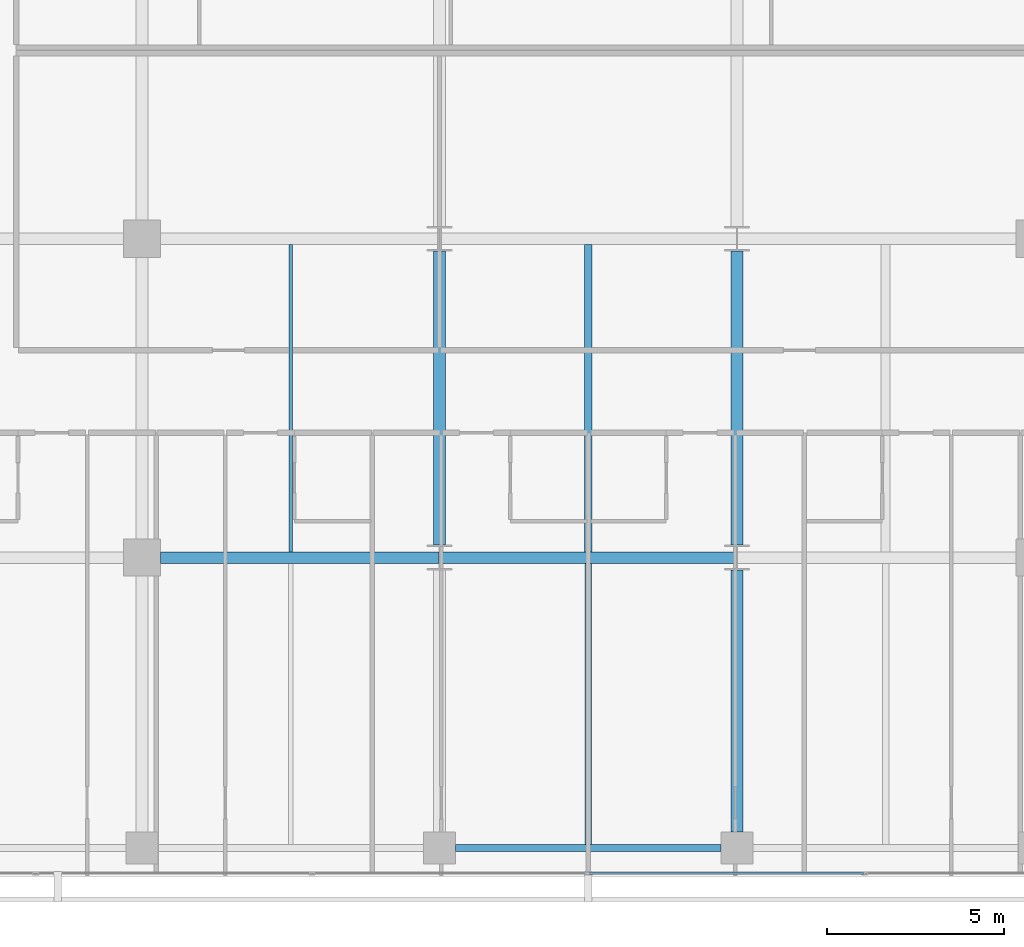
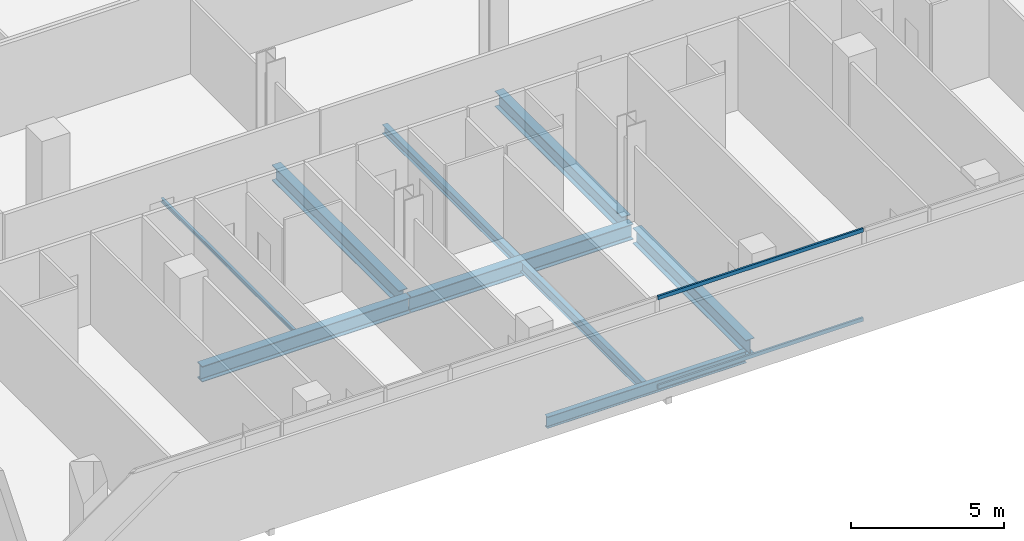
# One storey, part 9 of 40: 9 beams, 2 members, 1 element without a shape of its own.
"""IFC4 building model written with IfcOpenShell, lengths in metres."""

import ifcopenshell
import ifcopenshell.guid

model = None  # the IFC model being written
_history = None  # IfcOwnerHistory: only IFC2X3 demands one
_inside = {}  # id of a spatial element -> (the spatial element, [elements in it])
_under = {}  # id of a project, library or spatial element -> (it, [spatial elements below it])
_declared = {}  # id of a project -> (the project, [libraries it declares])
_typed = {}  # id of a type object -> (the type object, [elements of that type])
_made_of = {}  # id of a material, layer set ... -> (it, [elements and type objects made of it])


def new_model(schema):
    """Start an empty IFC model of exactly this schema.

    Asked for "IFC4X3", IfcOpenShell would pick the latest addendum, in which some entities
    have other attributes; the version numbers below select the first issue.
    IFC2X3 requires an IfcOwnerHistory on every rooted entity: one is made here for all.
    """
    global model, _history
    if schema == "IFC4X3":
        model = ifcopenshell.file(schema_version=(4, 3, 0, 0))
    else:
        model = ifcopenshell.file(schema=schema)
    _inside.clear()
    _under.clear()
    _declared.clear()
    _typed.clear()
    _made_of.clear()
    _history = None
    if model.schema == "IFC2X3":
        org = make("IfcOrganization", Name="unknown")
        user = make(
            "IfcPersonAndOrganization",
            ThePerson=make("IfcPerson", FamilyName="unknown"),
            TheOrganization=org,
        )
        app = make(
            "IfcApplication",
            ApplicationDeveloper=org,
            Version="unknown",
            ApplicationFullName="unknown",
            ApplicationIdentifier="unknown",
        )
        _history = make(
            "IfcOwnerHistory",
            OwningUser=user,
            OwningApplication=app,
            ChangeAction="ADDED",
            CreationDate=0,
        )
    return model


def make(cls, **values):
    """One entity of the class cls with the attributes given. An attribute that is None is left unset."""
    return model.create_entity(
        cls, **{name: value for name, value in values.items() if value is not None}
    )


def rooted(cls, **values):
    """An entity with a GlobalId (a new one), such as an element, a storey or a relation."""
    return make(cls, GlobalId=ifcopenshell.guid.new(), OwnerHistory=_history, **values)


def si_unit(unit_type, name, prefix=None):
    """IfcSIUnit, for example si_unit("LENGTHUNIT", "METRE", prefix="MILLI")."""
    return make("IfcSIUnit", UnitType=unit_type, Prefix=prefix, Name=name)


def assignment(units):
    """IfcUnitAssignment: the units of a project."""
    return None if units is None else make("IfcUnitAssignment", Units=units)


def point(xyz):
    """IfcCartesianPoint."""
    return None if xyz is None else make("IfcCartesianPoint", Coordinates=xyz)


def direction(xyz):
    """IfcDirection."""
    return None if xyz is None else make("IfcDirection", DirectionRatios=xyz)


def frame(location, z_axis=None, x_axis=None):
    """IfcAxis2Placement3D, a coordinate frame: its origin and axes. An axis left out is left unset."""
    return make(
        "IfcAxis2Placement3D",
        Location=point(location),
        Axis=direction(z_axis),
        RefDirection=direction(x_axis),
    )


def frame_2d(location, x_axis=None):
    """IfcAxis2Placement2D, a coordinate frame in the plane: its origin and x axis."""
    return make(
        "IfcAxis2Placement2D", Location=point(location), RefDirection=direction(x_axis)
    )


def origin():
    """The frame at (0, 0, 0) with its axes left unset."""
    return frame((0.0, 0.0, 0.0))


def origin_2d():
    """The frame at (0, 0) in the plane with its x axis left unset."""
    return frame_2d((0.0, 0.0))


def place(relative_to, where):
    """IfcLocalPlacement: puts the frame where relative to a parent placement (None: the world)."""
    return make(
        "IfcLocalPlacement", PlacementRelTo=relative_to, RelativePlacement=where
    )


def context(
    kind, dimensions, precision=None, world=None, true_north=None, identifier=None
):
    """IfcGeometricRepresentationContext, for example the 3D "Model" context."""
    return make(
        "IfcGeometricRepresentationContext",
        ContextIdentifier=identifier,
        ContextType=kind,
        CoordinateSpaceDimension=dimensions,
        Precision=precision,
        WorldCoordinateSystem=world,
        TrueNorth=true_north,
    )


def subcontext(parent, identifier, kind, view, scale=None):
    """IfcGeometricRepresentationSubContext, for example "Body" below "Model"."""
    return make(
        "IfcGeometricRepresentationSubContext",
        ContextIdentifier=identifier,
        ContextType=kind,
        ParentContext=parent,
        TargetScale=scale,
        TargetView=view,
    )


def project(units=None, contexts=None):
    """IfcProject with its units and contexts."""
    return rooted(
        "IfcProject",
        Name="project",
        RepresentationContexts=contexts,
        UnitsInContext=assignment(units),
    )


def spatial(cls, under=None, at=None, **own):
    """A site, building, storey or space (cls), placed at a placement, below another one or the project."""
    s = rooted(cls, ObjectPlacement=at, **own)
    if under is not None:
        _under.setdefault(under.id(), (under, []))[1].append(s)
    return s


def profile(cls, at=None, kind="AREA", **sizes):
    """A parametric profile (cls). Its sizes go by their IFC names, for example OverallWidth=200.0."""
    return make(cls, ProfileType=kind, Position=at, **sizes)


def hollow_rectangle(**sizes):
    """IfcRectangleHollowProfileDef."""
    return profile("IfcRectangleHollowProfileDef", **sizes)


def i_section(**sizes):
    """IfcIShapeProfileDef."""
    return profile("IfcIShapeProfileDef", **sizes)


def extrude(swept, where, along, depth):
    """IfcExtrudedAreaSolid: the profile swept, set in the frame where, extruded along a direction by depth."""
    return make(
        "IfcExtrudedAreaSolid",
        SweptArea=swept,
        Position=where,
        ExtrudedDirection=direction(along),
        Depth=depth,
    )


def shape(context_of_items, identifier, shape_type, items):
    """IfcShapeRepresentation: the items that make up one representation, for example the "Body"."""
    return make(
        "IfcShapeRepresentation",
        ContextOfItems=context_of_items,
        RepresentationIdentifier=identifier,
        RepresentationType=shape_type,
        Items=items,
    )


def material(Name=None, Category=None):
    """IfcMaterial."""
    return make("IfcMaterial", Name=Name, Category=Category)


def layer(
    of_material, thickness, ventilated=None, Name=None, Category=None, Priority=None
):
    """IfcMaterialLayer: one layer of a wall or slab, of a material (None: an air gap)."""
    return make(
        "IfcMaterialLayer",
        Material=of_material,
        LayerThickness=thickness,
        IsVentilated=ventilated,
        Name=Name,
        Category=Category,
        Priority=Priority,
    )


def layer_set(layers, Name=None):
    """IfcMaterialLayerSet."""
    return make("IfcMaterialLayerSet", MaterialLayers=layers, LayerSetName=Name)


def material_profile(
    of_material, cross_section, Name=None, Category=None, Priority=None
):
    """IfcMaterialProfile: a cross section and its material."""
    return make(
        "IfcMaterialProfile",
        Name=Name,
        Material=of_material,
        Profile=cross_section,
        Priority=Priority,
        Category=Category,
    )


def profile_set(profiles, Name=None, composite=None):
    """IfcMaterialProfileSet."""
    return make(
        "IfcMaterialProfileSet",
        Name=Name,
        MaterialProfiles=profiles,
        CompositeProfile=composite,
    )


def made_of(thing, what):
    """Note that an element or type object is made of a material, layer set ...; save() writes the relation."""
    if what is not None:
        _made_of.setdefault(what.id(), (what, []))[1].append(thing)
    return thing


def type_object(cls, material=None, **own):
    """A type object (cls), such as IfcWallType, which elements share."""
    return made_of(rooted(cls, **own), material)


def element(
    cls,
    number,
    at=None,
    inside=None,
    cuts=None,
    type_object=None,
    material=None,
    context=None,
    identifier="Body",
    shape_type=None,
    held_by="IfcProductDefinitionShape",
    body=None,
    shapes=None,
    **own,
):
    """One element of the class cls, such as IfcWall. Its Tag is "e" and its number.

    at: its placement. inside: the storey or other place that contains it. cuts: it is an
    opening in that element (IfcRelVoidsElement). A single representation is given by context,
    identifier, shape_type and body (its items); several are given by shapes. held_by: the class
    of the entity that holds the representations. save() writes the other relations.
    """
    e = rooted(cls, Tag="e%d" % number, ObjectPlacement=at, **own)
    if body is not None:
        shapes = [shape(context, identifier, shape_type, body)]
    if shapes is not None:
        e.Representation = make(held_by, Representations=shapes)
    if inside is not None:
        _inside.setdefault(inside.id(), (inside, []))[1].append(e)
    if cuts is not None:
        rooted(
            "IfcRelVoidsElement", RelatingBuildingElement=cuts, RelatedOpeningElement=e
        )
    if type_object is not None:
        _typed.setdefault(type_object.id(), (type_object, []))[1].append(e)
    return made_of(e, material)


def aggregate(whole, parts):
    """IfcRelAggregates: a whole, such as a stair, and the parts it consists of."""
    return rooted("IfcRelAggregates", RelatingObject=whole, RelatedObjects=parts)


def save(model, path):
    """Write the relations noted so far, then the file.

    IfcRelAggregates (storeys below a building ...), IfcRelContainedInSpatialStructure (elements
    in a storey), IfcRelDefinesByType, IfcRelAssociatesMaterial and IfcRelDeclares: one each for
    every whole, place, type object, material and project.
    """
    for whole, parts in _under.values():
        aggregate(whole, parts)
    for where, things in _inside.values():
        rooted(
            "IfcRelContainedInSpatialStructure",
            RelatedElements=things,
            RelatingStructure=where,
        )
    for kind, things in _typed.values():
        rooted("IfcRelDefinesByType", RelatedObjects=things, RelatingType=kind)
    for what, things in _made_of.values():
        rooted("IfcRelAssociatesMaterial", RelatedObjects=things, RelatingMaterial=what)
    for by, libraries in _declared.values():
        rooted("IfcRelDeclares", RelatingContext=by, RelatedDefinitions=libraries)
    model.write(path)


model = new_model("IFC4")

# Units and contexts
model_context = context("Model", 3, precision=1e-05, world=origin(), true_north=direction((0.0, 1.0)))
body_context = subcontext(model_context, "Body", "Model", "MODEL_VIEW")
ifc_project = project(units=[si_unit("LENGTHUNIT", "METRE"), si_unit("AREAUNIT", "SQUARE_METRE"), si_unit("VOLUMEUNIT", "CUBIC_METRE"), si_unit("PLANEANGLEUNIT", "RADIAN"), si_unit("MASSUNIT", "GRAM", prefix="KILO")], contexts=[model_context])

# Site, building, storey
site_placement = place(None, origin())
site = spatial("IfcSite", under=ifc_project, at=site_placement, CompositionType="ELEMENT")
building_placement = place(site_placement, origin())
building = spatial("IfcBuilding", under=site, at=building_placement, Name="Maruvema Waterfront Hotel and Observation Tower", CompositionType="ELEMENT")
storey_placement = place(building_placement, frame((0.0, 0.0, 38.5)))
storey = spatial("IfcBuildingStorey", under=building, at=storey_placement, Name="L08", CompositionType="ELEMENT", Elevation=38.5)

# Curtain wall, members
ifc_material_1 = material(Name="Anodised bronze aluminium and solar-control low-E IGU", Category="aluminium")
ifc_layer = layer(ifc_material_1, 0.159912109375, Name="Zone 1 Bronze Inner Thermal Curtain Wall System CW-02")
ifc_layer_set = layer_set([ifc_layer], Name="Anodised bronze aluminium and solar-control low-E IGU")
curtain_wall_type = type_object("IfcCurtainWallType", Name="Zone 1 Bronze Inner Thermal Curtain Wall System CW-02", PredefinedType="USERDEFINED", material=ifc_layer_set)
curtain_wall_placement = place(storey_placement, origin())
curtain_wall = element("IfcCurtainWall", 1, at=curtain_wall_placement, inside=storey, type_object=curtain_wall_type, Name="L08 Curtain Wall CW-L08-S", ObjectType="UNITISED CURTAIN WALL", PredefinedType="USERDEFINED")
ifc_material_2 = material(Name="Anodised architectural bronze aluminium", Category="aluminium")
ifc_material_profile_1 = material_profile(ifc_material_2, hollow_rectangle(XDim=0.070068359375, YDim=0.14990234375, WallThickness=0.00390625, at=origin_2d()), Name="ALU-T70x150")
ifc_profile_set_1 = profile_set([ifc_material_profile_1], Name="Anodised architectural bronze aluminium")
member_type = type_object("IfcMemberType", Name="Curtain Wall Horizontal Transom ALU-T70x150", PredefinedType="USERDEFINED", material=ifc_profile_set_1)
member_1_placement = place(storey_placement, frame((37.830078125, 0.080078125, 0.030029296875), z_axis=(1.0, 0.0, 0.0), x_axis=(0.0, 1.0, 0.0)))
member_1 = element("IfcMember", 2, at=member_1_placement, type_object=member_type, Name="CW-02 transom 4.1", ObjectType="TRANSOM", PredefinedType="USERDEFINED", context=body_context, shape_type="SweptSolid", body=[
    extrude(hollow_rectangle(XDim=0.070068359375, YDim=0.14990234375, WallThickness=0.00390625, at=origin_2d()), origin(), (0.0, 0.0, 1.0), 7.739990234375),
])
member_2_placement = place(storey_placement, frame((37.830078125, 0.080078125, 3.580078125), z_axis=(1.0, 0.0, 0.0), x_axis=(0.0, 1.0, 0.0)))
member_2 = element("IfcMember", 3, at=member_2_placement, type_object=member_type, Name="CW-02 transom 4.2", ObjectType="TRANSOM", PredefinedType="USERDEFINED", context=body_context, shape_type="SweptSolid", body=[
    extrude(hollow_rectangle(XDim=0.070068359375, YDim=0.14990234375, WallThickness=0.00390625, at=origin_2d()), origin(), (0.0, 0.0, 1.0), 7.739990234375),
])
aggregate(curtain_wall, [member_1, member_2])

# Beams
ifc_material_3 = material(Name="Steel ASTM A572 Grade 50", Category="steel")
ifc_material_profile_2 = material_profile(ifc_material_3, i_section(OverallWidth=0.18994140625, OverallDepth=0.45703125, WebThickness=0.009033203125, FlangeThickness=0.014404296875, FilletRadius=0.014892578125, at=origin_2d()), Name="W460x74.0")
ifc_profile_set_2 = profile_set([ifc_material_profile_2], Name="Steel ASTM A572 Grade 50")
beam_type_1 = type_object("IfcBeamType", Name="Perimeter Spandrel Beam W460x74.0", PredefinedType="SPANDREL", material=ifc_profile_set_2)
beam_1_placement = place(storey_placement, frame((34.050048828125, 0.800048828125, -0.468505859375), z_axis=(1.0, 0.0, 0.0), x_axis=(0.0, 1.0, 0.0)))
element("IfcBeam", 4, at=beam_1_placement, inside=storey, type_object=beam_type_1, Name="L08 Floor Girder EW-03", PredefinedType="SPANDREL", context=body_context, shape_type="SweptSolid", body=[
    extrude(i_section(OverallWidth=0.18994140625, OverallDepth=0.45703125, WebThickness=0.009033203125, FlangeThickness=0.014404296875, FilletRadius=0.014892578125, at=origin_2d()), origin(), (0.0, 0.0, 1.0), 7.5),
])
ifc_material_4 = material(Name="Steel ASTM A572 Grade 50", Category="steel")
ifc_material_profile_3 = material_profile(ifc_material_4, i_section(OverallWidth=0.326904296875, OverallDepth=0.6220703125, WebThickness=0.015380859375, FlangeThickness=0.0244140625, FilletRadius=0.01806640625, at=origin_2d()), Name="W610x195.0")
ifc_profile_set_3 = profile_set([ifc_material_profile_3], Name="Steel ASTM A572 Grade 50")
beam_type_2 = type_object("IfcBeamType", Name="Primary Floor Girder W610x195.0", PredefinedType="BEAM", material=ifc_profile_set_3)
beam_2_placement = place(storey_placement, frame((25.72509765625, 9.0, -0.551025390625), z_axis=(1.0, 0.0, 0.0), x_axis=(0.0, 1.0, 0.0)))
element("IfcBeam", 5, at=beam_2_placement, inside=storey, type_object=beam_type_2, Name="L08 Floor Girder EW-08", PredefinedType="BEAM", context=body_context, shape_type="SweptSolid", body=[
    extrude(i_section(OverallWidth=0.326904296875, OverallDepth=0.6220703125, WebThickness=0.015380859375, FlangeThickness=0.0244140625, FilletRadius=0.01806640625, at=origin_2d()), origin(), (0.0, 0.0, 1.0), 7.86083984375),
])
beam_3_placement = place(storey_placement, frame((33.614013671875, 9.0, -0.551025390625), z_axis=(1.0, 0.0, 0.0), x_axis=(0.0, 1.0, 0.0)))
element("IfcBeam", 6, at=beam_3_placement, inside=storey, type_object=beam_type_2, Name="L08 Floor Girder EW-09", PredefinedType="BEAM", context=body_context, shape_type="SweptSolid", body=[
    extrude(i_section(OverallWidth=0.326904296875, OverallDepth=0.6220703125, WebThickness=0.015380859375, FlangeThickness=0.0244140625, FilletRadius=0.01806640625, at=origin_2d()), origin(), (0.0, 0.0, 1.0), 8.3720703125),
])
beam_4_placement = place(storey_placement, frame((33.60009765625, 9.35009765625, -0.551025390625), z_axis=(0.0, 1.0, 0.0), x_axis=(-1.0, 0.0, 0.0)))
element("IfcBeam", 7, at=beam_4_placement, inside=storey, type_object=beam_type_2, Name="L08 Floor Girder NS-17", PredefinedType="BEAM", context=body_context, shape_type="SweptSolid", body=[
    extrude(i_section(OverallWidth=0.326904296875, OverallDepth=0.6220703125, WebThickness=0.015380859375, FlangeThickness=0.0244140625, FilletRadius=0.01806640625, at=origin_2d()), origin(), (0.0, 0.0, 1.0), 8.2998046875),
])
beam_5_placement = place(storey_placement, frame((42.0, 1.25, -0.551025390625), z_axis=(0.0, 1.0, 0.0), x_axis=(-1.0, 0.0, 0.0)))
element("IfcBeam", 8, at=beam_5_placement, inside=storey, type_object=beam_type_2, Name="L08 Floor Girder NS-19", PredefinedType="BEAM", context=body_context, shape_type="SweptSolid", body=[
    extrude(i_section(OverallWidth=0.326904296875, OverallDepth=0.6220703125, WebThickness=0.015380859375, FlangeThickness=0.0244140625, FilletRadius=0.01806640625, at=origin_2d()), origin(), (0.0, 0.0, 1.0), 7.39990234375),
])
beam_6_placement = place(storey_placement, frame((42.0, 9.35009765625, -0.551025390625), z_axis=(0.0, 1.0, 0.0), x_axis=(-1.0, 0.0, 0.0)))
element("IfcBeam", 9, at=beam_6_placement, inside=storey, type_object=beam_type_2, Name="L08 Floor Girder NS-20", PredefinedType="BEAM", context=body_context, shape_type="SweptSolid", body=[
    extrude(i_section(OverallWidth=0.326904296875, OverallDepth=0.6220703125, WebThickness=0.015380859375, FlangeThickness=0.0244140625, FilletRadius=0.01806640625, at=origin_2d()), origin(), (0.0, 0.0, 1.0), 8.2998046875),
])
ifc_material_5 = material(Name="Steel ASTM A572 Grade 50", Category="steel")
ifc_material_profile_4 = material_profile(ifc_material_5, i_section(OverallWidth=0.10009765625, OverallDepth=0.153076171875, WebThickness=0.005859375, FlangeThickness=0.007080078125, FilletRadius=0.008056640625, at=origin_2d()), Name="W150x18.0")
ifc_profile_set_4 = profile_set([ifc_material_profile_4], Name="Steel ASTM A572 Grade 50")
beam_type_3 = type_object("IfcBeamType", Name="Secondary Floor Joist W150x18.0", PredefinedType="JOIST", material=ifc_profile_set_4)
beam_7_placement = place(storey_placement, frame((29.39990234375, 9.16357421875, -0.31640625), z_axis=(0.0, 1.0, 0.0), x_axis=(-1.0, 0.0, 0.0)))
element("IfcBeam", 10, at=beam_7_placement, inside=storey, type_object=beam_type_3, Name="L08 Secondary Floor Joist JS-11", PredefinedType="JOIST", context=body_context, shape_type="SweptSolid", body=[
    extrude(i_section(OverallWidth=0.10009765625, OverallDepth=0.153076171875, WebThickness=0.005859375, FlangeThickness=0.007080078125, FilletRadius=0.008056640625, at=origin_2d()), origin(), (0.0, 0.0, 1.0), 8.6728515625),
])
ifc_material_6 = material(Name="Steel ASTM A572 Grade 50", Category="steel")
ifc_material_profile_5 = material_profile(ifc_material_6, i_section(OverallWidth=0.202880859375, OverallDepth=0.346923828125, WebThickness=0.0078125, FlangeThickness=0.013427734375, FilletRadius=0.014892578125, at=origin_2d()), Name="W360x64.0")
ifc_profile_set_5 = profile_set([ifc_material_profile_5], Name="Steel ASTM A572 Grade 50")
beam_type_4 = type_object("IfcBeamType", Name="Secondary Floor Joist W360x64.0", PredefinedType="JOIST", material=ifc_profile_set_5)
beam_8_placement = place(storey_placement, frame((37.800048828125, 9.16357421875, -0.41357421875), z_axis=(0.0, 1.0, 0.0), x_axis=(-1.0, 0.0, 0.0)))
element("IfcBeam", 11, at=beam_8_placement, inside=storey, type_object=beam_type_4, Name="L08 Secondary Floor Joist JS-13", PredefinedType="JOIST", context=body_context, shape_type="SweptSolid", body=[
    extrude(i_section(OverallWidth=0.202880859375, OverallDepth=0.346923828125, WebThickness=0.0078125, FlangeThickness=0.013427734375, FilletRadius=0.014892578125, at=origin_2d()), origin(), (0.0, 0.0, 1.0), 8.6728515625),
])
ifc_material_7 = material(Name="Steel ASTM A572 Grade 50", Category="steel")
ifc_material_profile_6 = material_profile(ifc_material_7, i_section(OverallWidth=0.177001953125, OverallDepth=0.403076171875, WebThickness=0.007568359375, FlangeThickness=0.010986328125, FilletRadius=0.014892578125, at=origin_2d()), Name="W410x53.0")
ifc_profile_set_6 = profile_set([ifc_material_profile_6], Name="Steel ASTM A572 Grade 50")
beam_type_5 = type_object("IfcBeamType", Name="Secondary Floor Joist W410x53.0", PredefinedType="JOIST", material=ifc_profile_set_6)
beam_9_placement = place(storey_placement, frame((37.800048828125, 0.89501953125, -0.44140625), z_axis=(0.0, 1.0, 0.0), x_axis=(-1.0, 0.0, 0.0)))
element("IfcBeam", 12, at=beam_9_placement, inside=storey, type_object=beam_type_5, Name="L08 Secondary Floor Joist JS-12", PredefinedType="JOIST", context=body_context, shape_type="SweptSolid", body=[
    extrude(i_section(OverallWidth=0.177001953125, OverallDepth=0.403076171875, WebThickness=0.007568359375, FlangeThickness=0.010986328125, FilletRadius=0.014892578125, at=origin_2d()), origin(), (0.0, 0.0, 1.0), 7.94140625),
])

save(model, "model.ifc")
